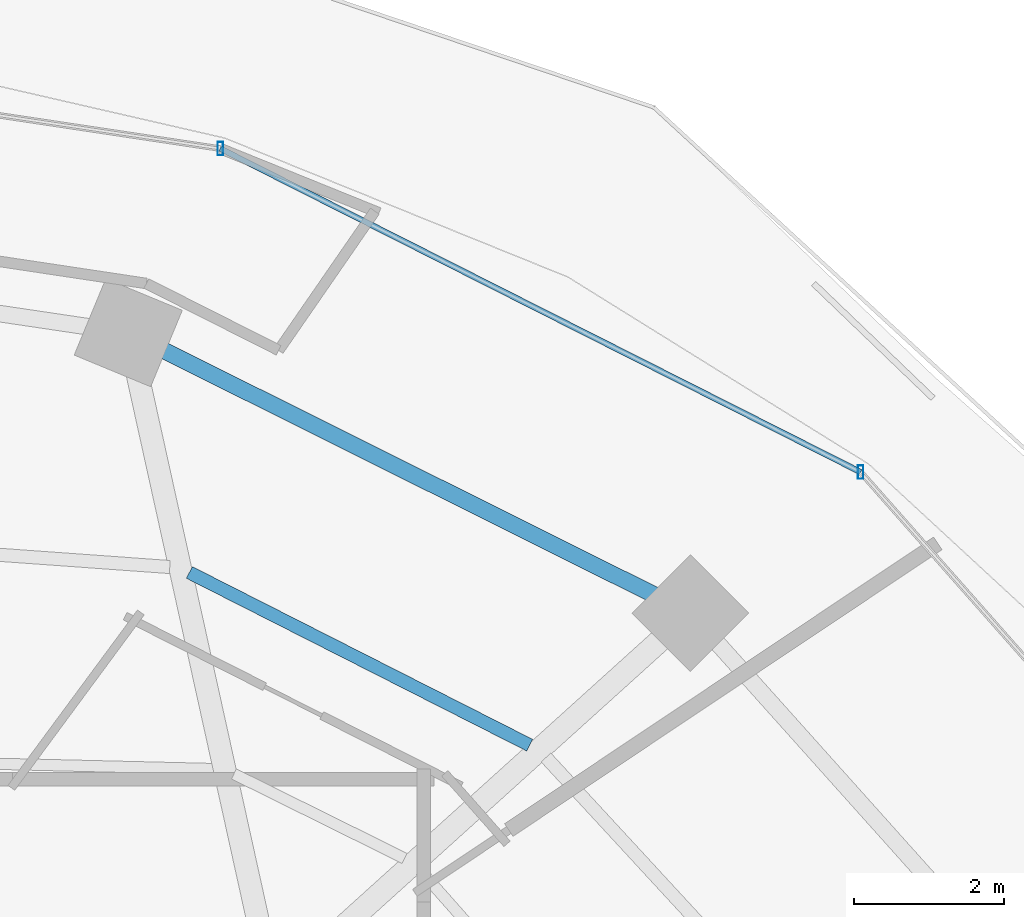
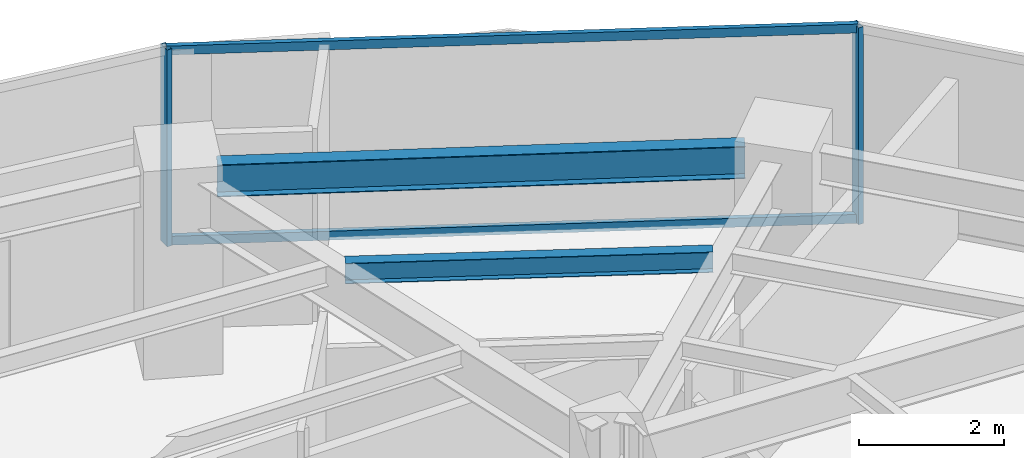
# One storey, part 21 of 30: 4 members, 2 beams, 1 element without a shape of its own.
"""IFC4 building model written with IfcOpenShell, lengths in metres."""

from ifc_helpers import new_model, si_unit, direction, frame, origin, origin_2d, place, context, subcontext, project, spatial, hollow_rectangle, i_section, extrude, material, material_profile, profile_set, type_object, element, aggregate, save


model = new_model("IFC4")

# Units and contexts
model_context = context("Model", 3, precision=1e-05, world=origin(), true_north=direction((0.0, 1.0)))
body_context = subcontext(model_context, "Body", "Model", "MODEL_VIEW")
ifc_project = project(units=[si_unit("LENGTHUNIT", "METRE"), si_unit("AREAUNIT", "SQUARE_METRE"), si_unit("VOLUMEUNIT", "CUBIC_METRE"), si_unit("PLANEANGLEUNIT", "RADIAN"), si_unit("MASSUNIT", "GRAM", prefix="KILO")], contexts=[model_context])

# Site, building, storey
site_placement = place(None, origin())
site = spatial("IfcSite", under=ifc_project, at=site_placement, CompositionType="ELEMENT")
building_placement = place(site_placement, origin())
building = spatial("IfcBuilding", under=site, at=building_placement, Name="Vorneva Point Tower", CompositionType="ELEMENT")
storey_placement = place(building_placement, frame((0.0, 0.0, 78.800048828125)))
storey = spatial("IfcBuildingStorey", under=building, at=storey_placement, Name="L20", CompositionType="ELEMENT", Elevation=78.800048828125)

# Beams
ifc_material_1 = material(Name="Steel S355", Category="steel")
ifc_material_profile_1 = material_profile(ifc_material_1, i_section(OverallWidth=0.174072265625, OverallDepth=0.345947265625, WebThickness=0.006103515625, FlangeThickness=0.009033203125, at=origin_2d()), Name="35B1")
ifc_profile_set_1 = profile_set([ifc_material_profile_1], Name="Steel S355")
beam_type_1 = type_object("IfcBeamType", Name="BM-SEC-35B1", PredefinedType="BEAM", material=ifc_profile_set_1)
beam_1_placement = place(storey_placement, frame((52.160400390625, 36.404296875, 3.06689453125), z_axis=(-0.891736950486, 0.452554097471, 0.0), x_axis=(-0.452554097471, -0.891736950486, 0.0)))
element("IfcBeam", 1, at=beam_1_placement, inside=storey, type_object=beam_type_1, Name="L20 Secondary Floor Beam 1.03", PredefinedType="BEAM", context=body_context, shape_type="SweptSolid", body=[
    extrude(i_section(OverallWidth=0.174072265625, OverallDepth=0.345947265625, WebThickness=0.006103515625, FlangeThickness=0.009033203125, at=origin_2d()), origin(), (0.0, 0.0, 1.0), 5.075927734375),
])
ifc_material_profile_2 = material_profile(ifc_material_1, i_section(OverallWidth=0.219970703125, OverallDepth=0.54296875, WebThickness=0.009521484375, FlangeThickness=0.013427734375, at=origin_2d()), Name="55B1")
ifc_profile_set_2 = profile_set([ifc_material_profile_2], Name="Steel S355")
beam_type_2 = type_object("IfcBeamType", Name="BM-SPN-55B1", PredefinedType="SPANDREL", material=ifc_profile_set_2)
beam_2_placement = place(storey_placement, frame((53.820068359375, 38.40087890625, 2.968505859375), z_axis=(-0.894915882304, 0.446234874926, 0.0), x_axis=(-0.446234874926, -0.894915882304, 0.0)))
element("IfcBeam", 2, at=beam_2_placement, inside=storey, type_object=beam_type_2, Name="L20 Perimeter Spandrel Ring Beam 03", PredefinedType="SPANDREL", context=body_context, shape_type="SweptSolid", body=[
    extrude(i_section(OverallWidth=0.219970703125, OverallDepth=0.54296875, WebThickness=0.009521484375, FlangeThickness=0.013427734375, at=origin_2d()), origin(), (0.0, 0.0, 1.0), 7.285888671875),
])

# Curtain wall, members
ifc_material_2 = material(Name="Pale anodised aluminium", Category="aluminium")
curtain_wall_type = type_object("IfcCurtainWallType", Name="CW-HTL-SYS", PredefinedType="NOTDEFINED", material=ifc_material_2)
curtain_wall_placement = place(storey_placement, origin())
curtain_wall = element("IfcCurtainWall", 3, at=curtain_wall_placement, inside=storey, type_object=curtain_wall_type, Name="L20 Unitised Curtain Wall CW-L20-R01", PredefinedType="NOTDEFINED")
ifc_material_profile_3 = material_profile(ifc_material_2, hollow_rectangle(XDim=0.074951171875, YDim=0.179931640625, WallThickness=0.00390625, at=origin_2d()), Name="AL-MUL 180x75x4")
ifc_profile_set_3 = profile_set([ifc_material_profile_3], Name="Pale anodised aluminium")
member_type_1 = type_object("IfcMemberType", Name="CW-MUL-180", PredefinedType="MULLION", material=ifc_profile_set_3)
member_1_placement = place(storey_placement, frame((56.5615234375, 40.0361328125, -0.0400390625), z_axis=(0.0, 0.0, 1.0), x_axis=(1.0, 0.0, 0.0)))
member_1 = element("IfcMember", 4, at=member_1_placement, type_object=member_type_1, Name="CW-L20-R01 Mullion 02", PredefinedType="MULLION", context=body_context, shape_type="SweptSolid", body=[
    extrude(hollow_rectangle(XDim=0.074951171875, YDim=0.179931640625, WallThickness=0.00390625, at=origin_2d()), origin(), (0.0, 0.0, 1.0), 3.31005859375),
])
member_2_placement = place(storey_placement, frame((48.04541015625, 44.339111328125, -0.0400390625), z_axis=(0.0, 0.0, 1.0), x_axis=(1.0, 0.0, 0.0)))
member_2 = element("IfcMember", 5, at=member_2_placement, type_object=member_type_1, Name="CW-L20-R01 Mullion 03", PredefinedType="MULLION", context=body_context, shape_type="SweptSolid", body=[
    extrude(hollow_rectangle(XDim=0.074951171875, YDim=0.179931640625, WallThickness=0.00390625, at=origin_2d()), origin(), (0.0, 0.0, 1.0), 3.31005859375),
])
ifc_material_profile_4 = material_profile(ifc_material_2, hollow_rectangle(XDim=0.074951171875, YDim=0.14990234375, WallThickness=0.00390625, at=origin_2d()), Name="AL-TRN 150x75x4")
ifc_profile_set_4 = profile_set([ifc_material_profile_4], Name="Pale anodised aluminium")
member_type_2 = type_object("IfcMemberType", Name="CW-TRN-150", PredefinedType="USERDEFINED", material=ifc_profile_set_4)
member_3_placement = place(storey_placement, frame((56.5615234375, 40.0361328125, 0.02001953125), z_axis=(-0.892536035732, 0.450976080207, 0.0), x_axis=(-0.450976080207, -0.892536035732, 0.0)))
member_3 = element("IfcMember", 6, at=member_3_placement, type_object=member_type_2, Name="CW-L20-R01 Transom 02.1", ObjectType="TRANSOM", PredefinedType="USERDEFINED", context=body_context, shape_type="SweptSolid", body=[
    extrude(hollow_rectangle(XDim=0.074951171875, YDim=0.14990234375, WallThickness=0.00390625, at=origin_2d()), origin(), (0.0, 0.0, 1.0), 9.54150390625),
])
member_4_placement = place(storey_placement, frame((56.5615234375, 40.0361328125, 3.219970703125), z_axis=(-0.892536035732, 0.450976080207, 0.0), x_axis=(-0.450976080207, -0.892536035732, 0.0)))
member_4 = element("IfcMember", 7, at=member_4_placement, type_object=member_type_2, Name="CW-L20-R01 Transom 02.2", ObjectType="TRANSOM", PredefinedType="USERDEFINED", context=body_context, shape_type="SweptSolid", body=[
    extrude(hollow_rectangle(XDim=0.074951171875, YDim=0.14990234375, WallThickness=0.00390625, at=origin_2d()), origin(), (0.0, 0.0, 1.0), 9.54150390625),
])
aggregate(curtain_wall, [member_1, member_2, member_3, member_4])

save(model, "model.ifc")
